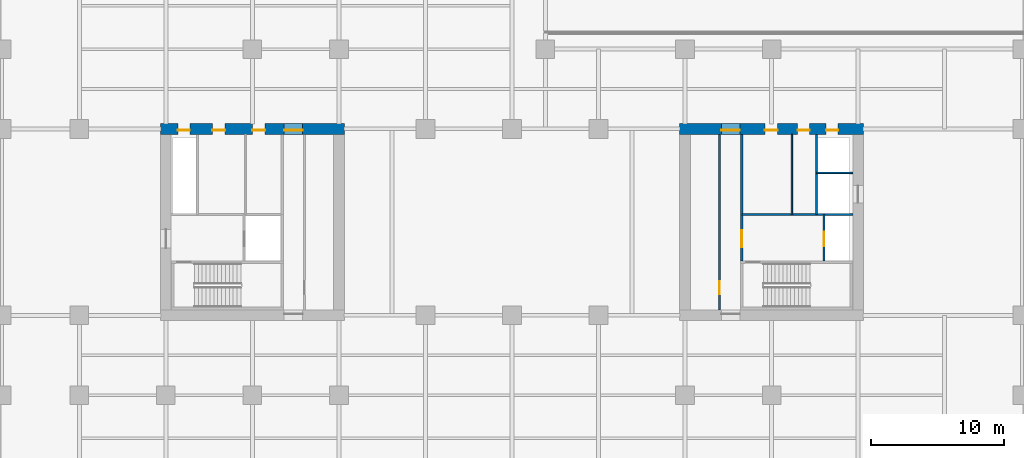
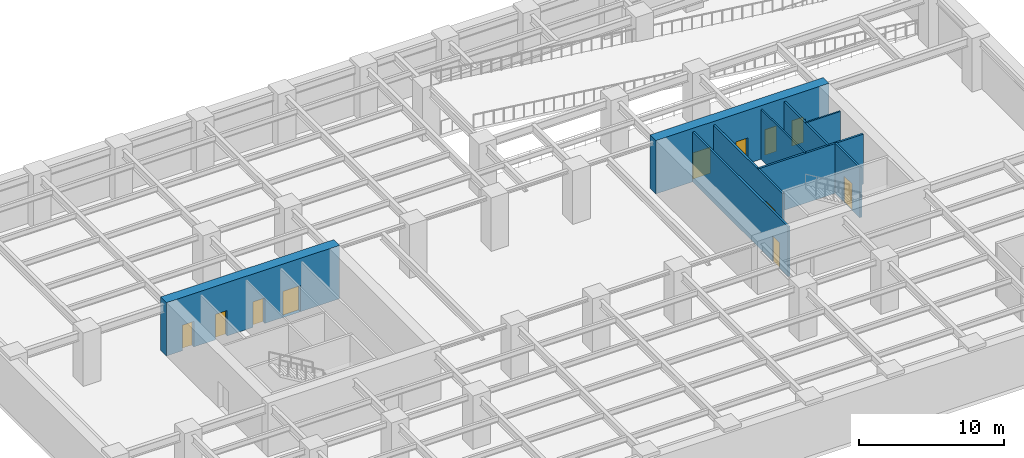
# One storey, part 6 of 10: 11 doors, 9 walls, 11 openings.
"""IFC4 building model written with IfcOpenShell, lengths in metres."""

from ifc_helpers import new_model, si_unit, direction, frame, frame_2d, origin, place, context, subcontext, project, spatial, rectangle, extrude, material, layer, layer_set, type_object, element, fill, save


model = new_model("IFC4")

# Units and contexts
model_context = context("Model", 3, precision=1e-05, world=origin(), true_north=direction((0.0, 1.0)))
body_context = subcontext(model_context, "Body", "Model", "MODEL_VIEW")
ifc_project = project(units=[si_unit("LENGTHUNIT", "METRE"), si_unit("AREAUNIT", "SQUARE_METRE"), si_unit("VOLUMEUNIT", "CUBIC_METRE"), si_unit("PLANEANGLEUNIT", "RADIAN"), si_unit("MASSUNIT", "GRAM", prefix="KILO")], contexts=[model_context])

# Site, building, storey
site_placement = place(None, origin())
site = spatial("IfcSite", under=ifc_project, at=site_placement, CompositionType="ELEMENT")
building_placement = place(site_placement, origin())
building = spatial("IfcBuilding", under=site, at=building_placement, Name="Putna Gate Headquarters", CompositionType="ELEMENT")
storey_placement = place(building_placement, frame((0.0, 0.0, -9.0)))
storey = spatial("IfcBuildingStorey", under=building, at=storey_placement, Name="B02", CompositionType="ELEMENT", Elevation=-9.0)

# Wall, openings, doors
ifc_material_1 = material(Name="Concrete C60/75", Category="concrete")
ifc_layer_1 = layer(ifc_material_1, 0.800048828125)
ifc_layer_set_1 = layer_set([ifc_layer_1], Name="Concrete C60/75")
wall_type_1 = type_object("IfcWallType", Name="WALL-CORE-800", PredefinedType="SHEAR", material=ifc_layer_set_1)
wall_1_placement = place(storey_placement, frame((12.60009765625, 33.0, 0.0), z_axis=(0.0, 0.0, 1.0), x_axis=(1.0, 0.0, 0.0)))
wall_1 = element("IfcWall", 1, at=wall_1_placement, inside=storey, type_object=wall_type_1, Name="B02 WC Split Core Shear Wall N", PredefinedType="SHEAR", context=body_context, shape_type="SweptSolid", body=[
    extrude(rectangle(XDim=13.7998046875, YDim=0.800048828125, at=frame_2d((6.89990234375, 0.0))), origin(), (0.0, 0.0, 1.0), 4.5),
])
opening_1_placement = place(wall_1_placement, frame((1.300048828125, 0.0, 0.0)))
opening_1 = element("IfcOpeningElement", 2, at=opening_1_placement, cuts=wall_1, Name="Opening RD-90", PredefinedType="OPENING", context=body_context, shape_type="SweptSolid", body=[
    extrude(rectangle(XDim=0.89990234375, YDim=2.14990234375, at=frame_2d((0.449951171875, 1.074951171875))), frame((0.0, 0.409912109375, 0.0), z_axis=(0.0, -1.0, 0.0), x_axis=(1.0, 0.0, 0.0)), (0.0, 0.0, 1.0), 0.820068359375),
])
opening_2_placement = place(wall_1_placement, frame((3.89990234375, 0.0, 0.0)))
opening_2 = element("IfcOpeningElement", 3, at=opening_2_placement, cuts=wall_1, Name="Opening IDS-95", PredefinedType="OPENING", context=body_context, shape_type="SweptSolid", body=[
    extrude(rectangle(XDim=0.949951171875, YDim=2.14990234375, at=frame_2d((0.47509765625, 1.074951171875))), frame((0.0, 0.409912109375, 0.0), z_axis=(0.0, -1.0, 0.0), x_axis=(1.0, 0.0, 0.0)), (0.0, 0.0, 1.0), 0.820068359375),
])
opening_3_placement = place(wall_1_placement, frame((6.89990234375, 0.0, 0.0)))
opening_3 = element("IfcOpeningElement", 4, at=opening_3_placement, cuts=wall_1, Name="Opening IDS-95", PredefinedType="OPENING", context=body_context, shape_type="SweptSolid", body=[
    extrude(rectangle(XDim=0.949951171875, YDim=2.14990234375, at=frame_2d((0.47509765625, 1.074951171875))), frame((0.0, 0.409912109375, 0.0), z_axis=(0.0, -1.0, 0.0), x_axis=(1.0, 0.0, 0.0)), (0.0, 0.0, 1.0), 0.820068359375),
])
opening_4_placement = place(wall_1_placement, frame((9.280029296875, 0.0, 0.0)))
opening_4 = element("IfcOpeningElement", 5, at=opening_4_placement, cuts=wall_1, Name="Opening FDD-140", PredefinedType="OPENING", context=body_context, shape_type="SweptSolid", body=[
    extrude(rectangle(XDim=1.39990234375, YDim=2.199951171875, at=frame_2d((0.699951171875, 1.10009765625))), frame((0.0, 0.409912109375, 0.0), z_axis=(0.0, -1.0, 0.0), x_axis=(1.0, 0.0, 0.0)), (0.0, 0.0, 1.0), 0.820068359375),
])
ifc_material_2 = material(Name="Double steel fire door", Category="steel")
door_type_1 = type_object("IfcDoorType", Name="DOOR-FIRE-DBL-1400", OperationType="DOUBLE_DOOR_SINGLE_SWING", PredefinedType="DOOR", material=ifc_material_2)
door_1_placement = place(opening_4_placement, origin())
door_1 = element("IfcDoor", 6, at=door_1_placement, inside=storey, type_object=door_type_1, Name="B02 West Lift Lobby North Door", OperationType="DOUBLE_DOOR_SINGLE_SWING", OverallHeight=2.199951171875, OverallWidth=1.39990234375, PredefinedType="DOOR", context=body_context, shape_type="SweptSolid", body=[
    extrude(rectangle(XDim=1.39990234375, YDim=2.199951171875, at=frame_2d((0.699951171875, 1.10009765625))), frame((0.0, -0.0751953125, 0.0), z_axis=(0.0, -1.0, 0.0), x_axis=(1.0, 0.0, 0.0)), (0.0, 0.0, 1.0), 0.050048828125),
])
fill(opening_4, door_1)
ifc_material_3 = material(Name="Fire-rated service timber door", Category="wood")
door_type_2 = type_object("IfcDoorType", Name="DOOR-INT-950", OperationType="NOTDEFINED", PredefinedType="DOOR", material=ifc_material_3)
door_2_placement = place(opening_2_placement, origin())
door_2 = element("IfcDoor", 7, at=door_2_placement, inside=storey, type_object=door_type_2, Name="B02 Cleaner Store Door", OperationType="SINGLE_SWING_LEFT", OverallHeight=2.14990234375, OverallWidth=0.949951171875, PredefinedType="DOOR", context=body_context, shape_type="SweptSolid", body=[
    extrude(rectangle(XDim=0.949951171875, YDim=2.14990234375, at=frame_2d((0.47509765625, 1.074951171875))), frame((0.0, -0.0751953125, 0.0), z_axis=(0.0, -1.0, 0.0), x_axis=(1.0, 0.0, 0.0)), (0.0, 0.0, 1.0), 0.050048828125),
])
fill(opening_2, door_2)
door_3_placement = place(opening_3_placement, origin())
door_3 = element("IfcDoor", 8, at=door_3_placement, inside=storey, type_object=door_type_2, Name="B02 Comms Plant Door", OperationType="SINGLE_SWING_RIGHT", OverallHeight=2.14990234375, OverallWidth=0.949951171875, PredefinedType="DOOR", context=body_context, shape_type="SweptSolid", body=[
    extrude(rectangle(XDim=0.949951171875, YDim=2.14990234375, at=frame_2d((0.47509765625, 1.074951171875))), frame((0.0, -0.0751953125, 0.0), z_axis=(0.0, -1.0, 0.0), x_axis=(1.0, 0.0, 0.0)), (0.0, 0.0, 1.0), 0.050048828125),
])
fill(opening_3, door_3)
ifc_material_4 = material(Name="Steel riser access fire door", Category="steel")
door_type_3 = type_object("IfcDoorType", Name="DOOR-RISER-900", OperationType="NOTDEFINED", PredefinedType="DOOR", material=ifc_material_4)
door_4_placement = place(opening_1_placement, origin())
door_4 = element("IfcDoor", 9, at=door_4_placement, inside=storey, type_object=door_type_3, Name="B02 West Riser Access Door", OperationType="SINGLE_SWING_RIGHT", OverallHeight=2.14990234375, OverallWidth=0.89990234375, PredefinedType="DOOR", context=body_context, shape_type="SweptSolid", body=[
    extrude(rectangle(XDim=0.89990234375, YDim=2.14990234375, at=frame_2d((0.449951171875, 1.074951171875))), frame((0.0, -0.0751953125, 0.0), z_axis=(0.0, -1.0, 0.0), x_axis=(1.0, 0.0, 0.0)), (0.0, 0.0, 1.0), 0.050048828125),
])
fill(opening_1, door_4)

wall_2_placement = place(storey_placement, frame((51.60009765625, 33.0, 0.0), z_axis=(0.0, 0.0, 1.0), x_axis=(1.0, 0.0, 0.0)))
wall_2 = element("IfcWall", 10, at=wall_2_placement, inside=storey, type_object=wall_type_1, Name="B02 EC Split Core Shear Wall N", PredefinedType="SHEAR", context=body_context, shape_type="SweptSolid", body=[
    extrude(rectangle(XDim=13.7998046875, YDim=0.800048828125, at=frame_2d((6.89990234375, 0.0))), origin(), (0.0, 0.0, 1.0), 4.5),
])
opening_5_placement = place(wall_2_placement, frame((3.1201171875, 0.0, 0.0)))
opening_5 = element("IfcOpeningElement", 11, at=opening_5_placement, cuts=wall_2, Name="Opening FDD-140", PredefinedType="OPENING", context=body_context, shape_type="SweptSolid", body=[
    extrude(rectangle(XDim=1.39990234375, YDim=2.199951171875, at=frame_2d((0.699951171875, 1.10009765625))), frame((0.0, 0.409912109375, 0.0), z_axis=(0.0, -1.0, 0.0), x_axis=(1.0, 0.0, 0.0)), (0.0, 0.0, 1.0), 0.820068359375),
])
opening_6_placement = place(wall_2_placement, frame((11.0, 0.0, 0.0)))
opening_6 = element("IfcOpeningElement", 12, at=opening_6_placement, cuts=wall_2, Name="Opening RD-90", PredefinedType="OPENING", context=body_context, shape_type="SweptSolid", body=[
    extrude(rectangle(XDim=0.89990234375, YDim=2.14990234375, at=frame_2d((0.449951171875, 1.074951171875))), frame((0.0, 0.409912109375, 0.0), z_axis=(0.0, -1.0, 0.0), x_axis=(1.0, 0.0, 0.0)), (0.0, 0.0, 1.0), 0.820068359375),
])
opening_7_placement = place(wall_2_placement, frame((6.39990234375, 0.0, 0.0)))
opening_7 = element("IfcOpeningElement", 13, at=opening_7_placement, cuts=wall_2, Name="Opening IDS-95", PredefinedType="OPENING", context=body_context, shape_type="SweptSolid", body=[
    extrude(rectangle(XDim=0.949951171875, YDim=2.14990234375, at=frame_2d((0.47509765625, 1.074951171875))), frame((0.0, 0.409912109375, 0.0), z_axis=(0.0, -1.0, 0.0), x_axis=(1.0, 0.0, 0.0)), (0.0, 0.0, 1.0), 0.820068359375),
])
opening_8_placement = place(wall_2_placement, frame((8.85009765625, 0.0, 0.0)))
opening_8 = element("IfcOpeningElement", 14, at=opening_8_placement, cuts=wall_2, Name="Opening IDS-90", PredefinedType="OPENING", context=body_context, shape_type="SweptSolid", body=[
    extrude(rectangle(XDim=0.89990234375, YDim=2.14990234375, at=frame_2d((0.449951171875, 1.074951171875))), frame((0.0, 0.409912109375, 0.0), z_axis=(0.0, -1.0, 0.0), x_axis=(1.0, 0.0, 0.0)), (0.0, 0.0, 1.0), 0.820068359375),
])
door_5_placement = place(opening_5_placement, origin())
door_5 = element("IfcDoor", 15, at=door_5_placement, inside=storey, type_object=door_type_1, Name="B02 East Lift Lobby North Door", OperationType="DOUBLE_DOOR_SINGLE_SWING", OverallHeight=2.199951171875, OverallWidth=1.39990234375, PredefinedType="DOOR", context=body_context, shape_type="SweptSolid", body=[
    extrude(rectangle(XDim=1.39990234375, YDim=2.199951171875, at=frame_2d((0.699951171875, 1.10009765625))), frame((0.0, -0.0751953125, 0.0), z_axis=(0.0, -1.0, 0.0), x_axis=(1.0, 0.0, 0.0)), (0.0, 0.0, 1.0), 0.050048828125),
])
fill(opening_5, door_5)
ifc_material_5 = material(Name="Fire-rated utility door")
door_type_4 = type_object("IfcDoorType", Name="DOOR-INT-900", OperationType="NOTDEFINED", PredefinedType="DOOR", material=ifc_material_5)
door_6_placement = place(opening_8_placement, origin())
door_6 = element("IfcDoor", 16, at=door_6_placement, inside=storey, type_object=door_type_4, Name="B02 Electrical Plant Door", OperationType="SINGLE_SWING_LEFT", OverallHeight=2.14990234375, OverallWidth=0.89990234375, PredefinedType="DOOR", context=body_context, shape_type="SweptSolid", body=[
    extrude(rectangle(XDim=0.89990234375, YDim=2.14990234375, at=frame_2d((0.449951171875, 1.074951171875))), frame((0.0, -0.0751953125, 0.0), z_axis=(0.0, -1.0, 0.0), x_axis=(1.0, 0.0, 0.0)), (0.0, 0.0, 1.0), 0.050048828125),
])
fill(opening_8, door_6)
door_7_placement = place(opening_7_placement, origin())
door_7 = element("IfcDoor", 17, at=door_7_placement, inside=storey, type_object=door_type_2, Name="B02 East Store Door", OperationType="SINGLE_SWING_RIGHT", OverallHeight=2.14990234375, OverallWidth=0.949951171875, PredefinedType="DOOR", context=body_context, shape_type="SweptSolid", body=[
    extrude(rectangle(XDim=0.949951171875, YDim=2.14990234375, at=frame_2d((0.47509765625, 1.074951171875))), frame((0.0, -0.0751953125, 0.0), z_axis=(0.0, -1.0, 0.0), x_axis=(1.0, 0.0, 0.0)), (0.0, 0.0, 1.0), 0.050048828125),
])
fill(opening_7, door_7)
door_8_placement = place(opening_6_placement, origin())
door_8 = element("IfcDoor", 18, at=door_8_placement, inside=storey, type_object=door_type_3, Name="B02 East Riser Access Door", OperationType="SINGLE_SWING_LEFT", OverallHeight=2.14990234375, OverallWidth=0.89990234375, PredefinedType="DOOR", context=body_context, shape_type="SweptSolid", body=[
    extrude(rectangle(XDim=0.89990234375, YDim=2.14990234375, at=frame_2d((0.449951171875, 1.074951171875))), frame((0.0, -0.0751953125, 0.0), z_axis=(0.0, -1.0, 0.0), x_axis=(1.0, 0.0, 0.0)), (0.0, 0.0, 1.0), 0.050048828125),
])
fill(opening_6, door_8)

# Walls
ifc_material_6 = material(Name="Fire-rated shaftwall gypsum board on metal stud")
ifc_layer_2 = layer(ifc_material_6, 0.1201171875)
ifc_layer_set_2 = layer_set([ifc_layer_2], Name="Fire-rated shaftwall gypsum board on metal stud")
wall_type_2 = type_object("IfcWallType", Name="WALL-PART-120-EI120", PredefinedType="PARTITIONING", material=ifc_layer_set_2)
wall_3_placement = place(storey_placement, frame((61.8701171875, 29.699951171875, 0.0), z_axis=(0.0, 0.0, 1.0), x_axis=(1.0, 0.0, 0.0)))
element("IfcWall", 19, at=wall_3_placement, inside=storey, type_object=wall_type_2, Name="B02 Interior Wall CWINT-B02-EC-LF15-N", PredefinedType="PARTITIONING", context=body_context, shape_type="SweptSolid", body=[
    extrude(rectangle(XDim=2.72998046875, YDim=0.1201171875, at=frame_2d((1.364990234375, 0.0))), origin(), (0.0, 0.0, 1.0), 4.199951171875),
])
ifc_material_7 = material(Name="Fire-rated gypsum board on metal stud")
ifc_layer_3 = layer(ifc_material_7, 0.1201171875)
ifc_layer_set_3 = layer_set([ifc_layer_3], Name="Fire-rated gypsum board on metal stud")
wall_type_3 = type_object("IfcWallType", Name="WALL-PART-120-RATED", PredefinedType="PARTITIONING", material=ifc_layer_set_3)
wall_4_placement = place(storey_placement, frame((60.02001953125, 26.56005859375, 0.0), z_axis=(0.0, 0.0, 1.0), x_axis=(0.0, 1.0, 0.0)))
element("IfcWall", 20, at=wall_4_placement, inside=storey, type_object=wall_type_3, Name="B02 Interior Wall CWINT-B02-EC-K0-DIV", PredefinedType="PARTITIONING", context=body_context, shape_type="SweptSolid", body=[
    extrude(rectangle(XDim=6.0400390625, YDim=0.1201171875, at=frame_2d((3.02001953125, 0.0))), origin(), (0.0, 0.0, 1.0), 4.199951171875),
])

# Wall, opening, door
ifc_material_8 = material(Name="Concrete C40/50", Category="concrete")
ifc_layer_4 = layer(ifc_material_8, 0.159912109375)
ifc_layer_set_4 = layer_set([ifc_layer_4], Name="Concrete C40/50")
wall_type_4 = type_object("IfcWallType", Name="WALL-SHAFT-160", PredefinedType="STANDARD", material=ifc_layer_set_4)
wall_5_placement = place(storey_placement, frame((54.60009765625, 19.39990234375, 0.0), z_axis=(0.0, 0.0, 1.0), x_axis=(0.0, 1.0, 0.0)))
wall_5 = element("IfcWall", 21, at=wall_5_placement, inside=storey, type_object=wall_type_4, Name="B02 Interior Wall CWINT-B02-EC-PL-WALL", PredefinedType="STANDARD", context=body_context, shape_type="SweptSolid", body=[
    extrude(rectangle(XDim=13.2001953125, YDim=0.159912109375, at=frame_2d((6.60009765625, 0.0))), origin(), (0.0, 0.0, 1.0), 4.199951171875),
])
opening_9_placement = place(wall_5_placement, frame((1.199951171875, 0.0, 0.0)))
opening_9 = element("IfcOpeningElement", 22, at=opening_9_placement, cuts=wall_5, Name="Opening IDS-95F", PredefinedType="OPENING", context=body_context, shape_type="SweptSolid", body=[
    extrude(rectangle(XDim=0.949951171875, YDim=2.14990234375, at=frame_2d((0.47509765625, 1.074951171875))), frame((0.0, 0.08984375, 0.0), z_axis=(0.0, -1.0, 0.0), x_axis=(1.0, 0.0, 0.0)), (0.0, 0.0, 1.0), 0.179931640625),
])
ifc_material_9 = material(Name="Steel-faced fire door", Category="steel")
door_type_5 = type_object("IfcDoorType", Name="DOOR-INT-950-EI90", OperationType="NOTDEFINED", PredefinedType="DOOR", material=ifc_material_9)
door_9_placement = place(opening_9_placement, origin())
door_9 = element("IfcDoor", 23, at=door_9_placement, inside=storey, type_object=door_type_5, Name="B02 Substructure Equipment East Door", OperationType="SINGLE_SWING_LEFT", OverallHeight=2.14990234375, OverallWidth=0.949951171875, PredefinedType="DOOR", context=body_context, shape_type="SweptSolid", body=[
    extrude(rectangle(XDim=0.949951171875, YDim=2.14990234375, at=frame_2d((0.47509765625, 1.074951171875))), frame((0.0, 0.02490234375, 0.0), z_axis=(0.0, -1.0, 0.0), x_axis=(1.0, 0.0, 0.0)), (0.0, 0.0, 1.0), 0.050048828125),
])
fill(opening_9, door_9)

wall_6_placement = place(storey_placement, frame((56.260009765625, 23.090087890625, 0.0), z_axis=(0.0, 0.0, 1.0), x_axis=(0.0, 1.0, 0.0)))
wall_6 = element("IfcWall", 24, at=wall_6_placement, inside=storey, type_object=wall_type_4, Name="B02 Interior Wall CWINT-B02-EC-LOB-E", PredefinedType="STANDARD", context=body_context, shape_type="SweptSolid", body=[
    extrude(rectangle(XDim=9.510009765625, YDim=0.159912109375, at=frame_2d((4.7548828125, 0.0))), origin(), (0.0, 0.0, 1.0), 4.199951171875),
])
opening_10_placement = place(wall_6_placement, frame((1.010009765625, 0.0, 0.0)))
opening_10 = element("IfcOpeningElement", 25, at=opening_10_placement, cuts=wall_6, Name="Opening FDD-130", PredefinedType="OPENING", context=body_context, shape_type="SweptSolid", body=[
    extrude(rectangle(XDim=1.300048828125, YDim=2.199951171875, at=frame_2d((0.64990234375, 1.10009765625))), frame((0.0, 0.08984375, 0.0), z_axis=(0.0, -1.0, 0.0), x_axis=(1.0, 0.0, 0.0)), (0.0, 0.0, 1.0), 0.179931640625),
])
ifc_material_10 = material(Name="Double steel lobby fire door", Category="steel")
door_type_6 = type_object("IfcDoorType", Name="DOOR-FIRE-DBL-1300", OperationType="DOUBLE_DOOR_SINGLE_SWING", PredefinedType="DOOR", material=ifc_material_10)
door_10_placement = place(opening_10_placement, origin())
door_10 = element("IfcDoor", 26, at=door_10_placement, inside=storey, type_object=door_type_6, Name="B02 East Firefighting Lobby Door", OperationType="DOUBLE_DOOR_SINGLE_SWING", OverallHeight=2.199951171875, OverallWidth=1.300048828125, PredefinedType="DOOR", context=body_context, shape_type="SweptSolid", body=[
    extrude(rectangle(XDim=1.300048828125, YDim=2.199951171875, at=frame_2d((0.64990234375, 1.10009765625))), frame((0.0, 0.02490234375, 0.0), z_axis=(0.0, -1.0, 0.0), x_axis=(1.0, 0.0, 0.0)), (0.0, 0.0, 1.0), 0.050048828125),
])
fill(opening_10, door_10)

wall_7_placement = place(storey_placement, frame((62.429931640625, 23.090087890625, 0.0), z_axis=(0.0, 0.0, 1.0), x_axis=(0.0, 1.0, 0.0)))
wall_7 = element("IfcWall", 27, at=wall_7_placement, inside=storey, type_object=wall_type_4, Name="B02 Interior Wall CWINT-B02-EC-LF14-W", PredefinedType="STANDARD", context=body_context, shape_type="SweptSolid", body=[
    extrude(rectangle(XDim=3.469970703125, YDim=0.159912109375, at=frame_2d((1.73486328125, 0.0))), origin(), (0.0, 0.0, 1.0), 4.199951171875),
])
opening_11_placement = place(wall_7_placement, frame((1.10009765625, 0.0, 0.0)))
opening_11 = element("IfcOpeningElement", 28, at=opening_11_placement, cuts=wall_7, Name="Opening LD-1", PredefinedType="OPENING", context=body_context, shape_type="SweptSolid", body=[
    extrude(rectangle(XDim=1.10009765625, YDim=2.199951171875, at=frame_2d((0.550048828125, 1.10009765625))), frame((0.0, 0.08984375, 0.0), z_axis=(0.0, -1.0, 0.0), x_axis=(1.0, 0.0, 0.0)), (0.0, 0.0, 1.0), 0.179931640625),
])
ifc_material_11 = material(Name="Brushed bronze stainless lift landing door")
door_type_7 = type_object("IfcDoorType", Name="DOOR-LIFT-1100", OperationType="DOUBLE_DOOR_SLIDING", PredefinedType="DOOR", material=ifc_material_11)
door_11_placement = place(opening_11_placement, origin())
door_11 = element("IfcDoor", 29, at=door_11_placement, inside=storey, type_object=door_type_7, Name="B02 Lift Landing Door LD-14", OperationType="DOUBLE_DOOR_SLIDING", OverallHeight=2.199951171875, OverallWidth=1.10009765625, PredefinedType="DOOR", context=body_context, shape_type="SweptSolid", body=[
    extrude(rectangle(XDim=1.10009765625, YDim=2.199951171875, at=frame_2d((0.550048828125, 1.10009765625))), frame((0.0, 0.02490234375, 0.0), z_axis=(0.0, -1.0, 0.0), x_axis=(1.0, 0.0, 0.0)), (0.0, 0.0, 1.0), 0.050048828125),
])
fill(opening_11, door_11)

# Walls
wall_8_placement = place(storey_placement, frame((56.260009765625, 26.56005859375, 0.0), z_axis=(0.0, 0.0, 1.0), x_axis=(1.0, 0.0, 0.0)))
element("IfcWall", 30, at=wall_8_placement, inside=storey, type_object=wall_type_4, Name="B02 Interior Wall CWINT-B02-EC-FFL-N", PredefinedType="STANDARD", context=body_context, shape_type="SweptSolid", body=[
    extrude(rectangle(XDim=8.340087890625, YDim=0.159912109375, at=frame_2d((4.169921875, 0.0))), origin(), (0.0, 0.0, 1.0), 4.199951171875),
])
wall_9_placement = place(storey_placement, frame((61.8701171875, 26.56005859375, 0.0), z_axis=(0.0, 0.0, 1.0), x_axis=(0.0, 1.0, 0.0)))
element("IfcWall", 31, at=wall_9_placement, inside=storey, type_object=wall_type_4, Name="B02 Interior Wall CWINT-B02-EC-LF15-W", PredefinedType="STANDARD", context=body_context, shape_type="SweptSolid", body=[
    extrude(rectangle(XDim=6.0400390625, YDim=0.159912109375, at=frame_2d((3.02001953125, 0.0))), origin(), (0.0, 0.0, 1.0), 4.199951171875),
])

save(model, "model.ifc")
